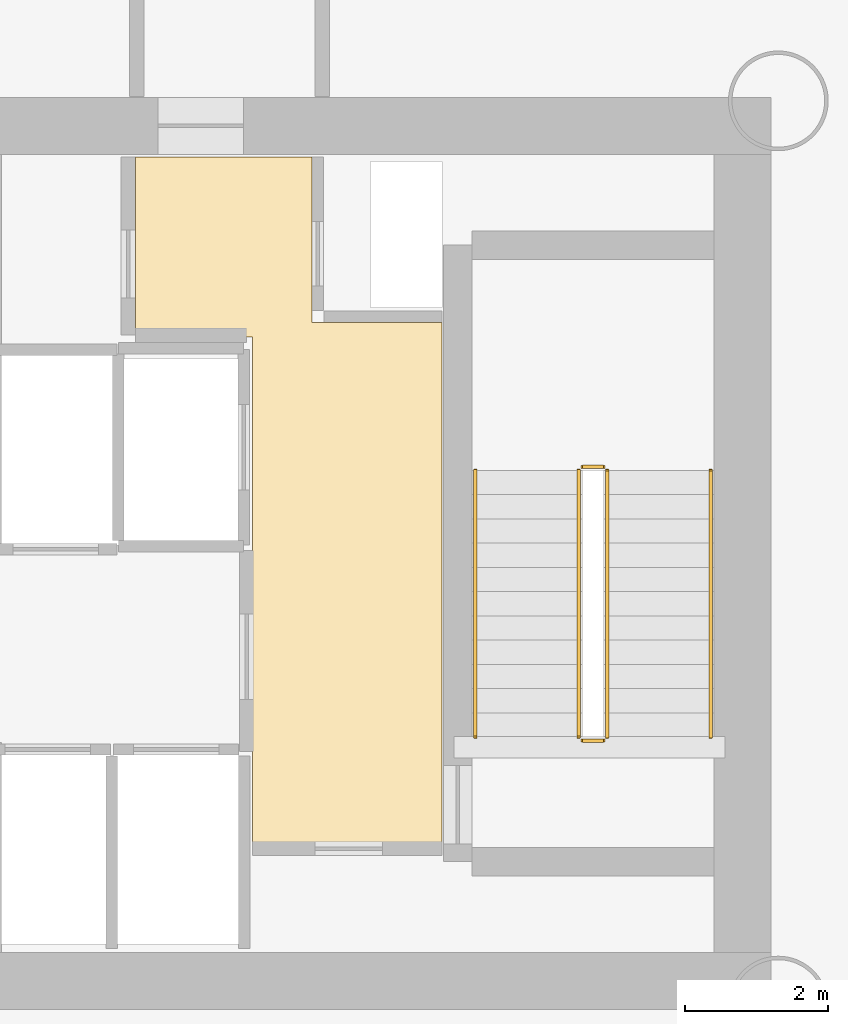
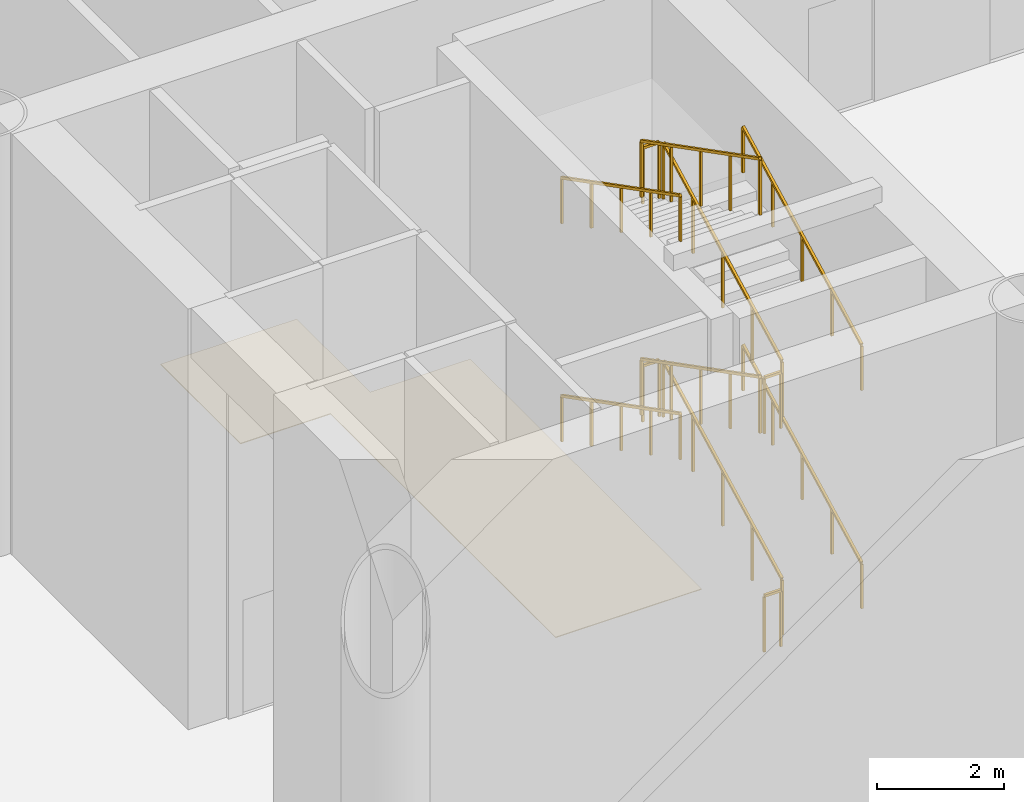
# One storey, part 28 of 28: 12 railings, 1 covering.
"""IFC4 building model written with IfcOpenShell, lengths in metres."""

from ifc_helpers import new_model, si_unit, direction, frame, origin, origin_2d, place, context, subcontext, project, spatial, polyline, rectangle, outline, extrude, material, layer, layer_set, type_object, element, save


model = new_model("IFC4")

# Units and contexts
model_context = context("Model", 3, precision=1e-05, world=origin(), true_north=direction((0.0, 1.0)))
body_context = subcontext(model_context, "Body", "Model", "MODEL_VIEW")
ifc_project = project(units=[si_unit("LENGTHUNIT", "METRE"), si_unit("AREAUNIT", "SQUARE_METRE"), si_unit("VOLUMEUNIT", "CUBIC_METRE"), si_unit("PLANEANGLEUNIT", "RADIAN"), si_unit("MASSUNIT", "GRAM", prefix="KILO")], contexts=[model_context])

# Site, building, storey
site_placement = place(None, origin())
site = spatial("IfcSite", under=ifc_project, at=site_placement, CompositionType="ELEMENT")
building_placement = place(site_placement, origin())
building = spatial("IfcBuilding", under=site, at=building_placement, Name="Tavrogorsk Clinical Tower", CompositionType="ELEMENT")
storey_placement = place(building_placement, origin())
storey = spatial("IfcBuildingStorey", under=building, at=storey_placement, Name="L00", CompositionType="ELEMENT", Elevation=0.0)

# Covering
ifc_material_1 = material(Name="Antibacterial micro-perforated aluminium ceiling", Category="aluminium")
ifc_layer_1 = layer(ifc_material_1, 0.014892578125)
ifc_layer_set_1 = layer_set([ifc_layer_1], Name="Antibacterial micro-perforated aluminium ceiling")
covering_type = type_object("IfcCoveringType", Name="ClinicalCeiling_15", PredefinedType="CEILING", material=ifc_layer_set_1)
covering_placement = place(storey_placement, frame((0.0, 0.0, 2.75)))
element("IfcCovering", 1, at=covering_placement, inside=storey, type_object=covering_type, Name="Core East Firefighting Lift Lobby Acoustic Ceiling", PredefinedType="CEILING", context=body_context, shape_type="SweptSolid", body=[
    extrude(outline(polyline([(14.719970703125, -4.06005859375), (14.719970703125, 3.0400390625), (13.080078125, 3.0400390625), (13.080078125, 5.56005859375), (14.719970703125, 5.56005859375), (15.56005859375, 5.56005859375), (15.56005859375, 3.239990234375), (17.3798828125, 3.239990234375), (17.3798828125, -4.06005859375), (14.719970703125, -4.06005859375)])), origin(), (0.0, 0.0, 1.0), 0.014892578125),
])

# Railings
ifc_material_2 = material(Name="Galvanised steel S355 safety stairwell guard", Category="steel")
ifc_layer_2 = layer(ifc_material_2, 0.06005859375)
ifc_layer_set_2 = layer_set([ifc_layer_2], Name="Galvanised steel S355 safety stairwell guard")
railing_type_1 = type_object("IfcRailingType", Name="StairGuard_1150", PredefinedType="GUARDRAIL", material=ifc_layer_set_2)
railing_1_placement = place(storey_placement, frame((19.699951171875, -2.574951171875, 0.175048828125)))
element("IfcRailing", 2, at=railing_1_placement, inside=storey, type_object=railing_type_1, Name="L00 ST-E stair guard 1", PredefinedType="GUARDRAIL", context=body_context, shape_type="SweptSolid", body=[
    extrude(rectangle(XDim=0.048095703125, YDim=0.048095703125, at=origin_2d()), frame((0.0, 0.0, 1.076171875), z_axis=(0.0, 0.889130600629, 0.457653553493), x_axis=(-1.0, 0.0, 0.0)), (0.0, 0.0, 1.0), 4.206298828125),
    extrude(rectangle(XDim=0.0419921875, YDim=0.0419921875, at=origin_2d()), origin(), (0.0, 0.0, 1.0), 1.052001953125),
    extrude(rectangle(XDim=0.0419921875, YDim=0.0419921875, at=origin_2d()), frame((0.0, 0.93505859375, 0.481201171875)), (0.0, 0.0, 1.0), 1.052001953125),
    extrude(rectangle(XDim=0.0419921875, YDim=0.0419921875, at=origin_2d()), frame((0.0, 1.8701171875, 0.96240234375)), (0.0, 0.0, 1.0), 1.052001953125),
    extrude(rectangle(XDim=0.0419921875, YDim=0.0419921875, at=origin_2d()), frame((0.0, 2.804931640625, 1.44384765625)), (0.0, 0.0, 1.0), 1.052001953125),
    extrude(rectangle(XDim=0.0419921875, YDim=0.0419921875, at=origin_2d()), frame((0.0, 3.739990234375, 1.925048828125)), (0.0, 0.0, 1.0), 1.052001953125),
])
railing_2_placement = place(storey_placement, frame((19.64990234375, 1.215087890625, 2.10009765625)))
element("IfcRailing", 3, at=railing_2_placement, inside=storey, type_object=railing_type_1, Name="L00 ST-E stair guard 2", PredefinedType="GUARDRAIL", context=body_context, shape_type="SweptSolid", body=[
    extrude(rectangle(XDim=0.048095703125, YDim=0.048095703125, at=origin_2d()), frame((0.0, 0.0, 1.076171875), z_axis=(-1.0, 0.0, 0.0), x_axis=(0.0, -1.0, 0.0)), (0.0, 0.0, 1.0), 0.2998046875),
    extrude(rectangle(XDim=0.0419921875, YDim=0.0419921875, at=origin_2d()), origin(), (0.0, 0.0, 1.0), 1.052001953125),
    extrude(rectangle(XDim=0.0419921875, YDim=0.0419921875, at=origin_2d()), frame((-0.2998046875, 0.0, 0.0)), (0.0, 0.0, 1.0), 1.052001953125),
])
railing_3_placement = place(storey_placement, frame((19.300048828125, 1.1650390625, 2.27490234375)))
element("IfcRailing", 4, at=railing_3_placement, inside=storey, type_object=railing_type_1, Name="L00 ST-E stair guard 3", PredefinedType="GUARDRAIL", context=body_context, shape_type="SweptSolid", body=[
    extrude(rectangle(XDim=0.048095703125, YDim=0.048095703125, at=origin_2d()), frame((0.0, 0.0, 1.076171875), z_axis=(0.0, -0.889130600629, 0.457653553493), x_axis=(1.0, 0.0, 0.0)), (0.0, 0.0, 1.0), 4.206298828125),
    extrude(rectangle(XDim=0.0419921875, YDim=0.0419921875, at=origin_2d()), origin(), (0.0, 0.0, 1.0), 1.052001953125),
    extrude(rectangle(XDim=0.0419921875, YDim=0.0419921875, at=origin_2d()), frame((0.0, -0.93505859375, 0.481201171875)), (0.0, 0.0, 1.0), 1.052001953125),
    extrude(rectangle(XDim=0.0419921875, YDim=0.0419921875, at=origin_2d()), frame((0.0, -1.8701171875, 0.96240234375)), (0.0, 0.0, 1.0), 1.052001953125),
    extrude(rectangle(XDim=0.0419921875, YDim=0.0419921875, at=origin_2d()), frame((0.0, -2.804931640625, 1.44384765625)), (0.0, 0.0, 1.0), 1.052001953125),
    extrude(rectangle(XDim=0.0419921875, YDim=0.0419921875, at=origin_2d()), frame((0.0, -3.739990234375, 1.925048828125)), (0.0, 0.0, 1.0), 1.052001953125),
])
railing_4_placement = place(storey_placement, frame((19.64990234375, -2.625, 4.199951171875)))
element("IfcRailing", 5, at=railing_4_placement, inside=storey, type_object=railing_type_1, Name="L00 ST-E stair guard 4", PredefinedType="GUARDRAIL", context=body_context, shape_type="SweptSolid", body=[
    extrude(rectangle(XDim=0.048095703125, YDim=0.048095703125, at=origin_2d()), frame((0.0, 0.0, 1.076171875), z_axis=(-1.0, 0.0, 0.0), x_axis=(0.0, -1.0, 0.0)), (0.0, 0.0, 1.0), 0.2998046875),
    extrude(rectangle(XDim=0.0419921875, YDim=0.0419921875, at=origin_2d()), origin(), (0.0, 0.0, 1.0), 1.052001953125),
    extrude(rectangle(XDim=0.0419921875, YDim=0.0419921875, at=origin_2d()), frame((-0.2998046875, 0.0, 0.0)), (0.0, 0.0, 1.0), 1.052001953125),
])
railing_5_placement = place(storey_placement, frame((19.699951171875, -2.574951171875, 4.375)))
element("IfcRailing", 6, at=railing_5_placement, inside=storey, type_object=railing_type_1, Name="L00 ST-E stair guard 5", PredefinedType="GUARDRAIL", context=body_context, shape_type="SweptSolid", body=[
    extrude(rectangle(XDim=0.048095703125, YDim=0.048095703125, at=origin_2d()), frame((0.0, 0.0, 1.076171875), z_axis=(0.0, 0.889130600629, 0.457653553493), x_axis=(-1.0, 0.0, 0.0)), (0.0, 0.0, 1.0), 4.206298828125),
    extrude(rectangle(XDim=0.0419921875, YDim=0.0419921875, at=origin_2d()), origin(), (0.0, 0.0, 1.0), 1.052001953125),
    extrude(rectangle(XDim=0.0419921875, YDim=0.0419921875, at=origin_2d()), frame((0.0, 0.93505859375, 0.481201171875)), (0.0, 0.0, 1.0), 1.052001953125),
    extrude(rectangle(XDim=0.0419921875, YDim=0.0419921875, at=origin_2d()), frame((0.0, 1.8701171875, 0.96240234375)), (0.0, 0.0, 1.0), 1.052001953125),
    extrude(rectangle(XDim=0.0419921875, YDim=0.0419921875, at=origin_2d()), frame((0.0, 2.804931640625, 1.44384765625)), (0.0, 0.0, 1.0), 1.052001953125),
    extrude(rectangle(XDim=0.0419921875, YDim=0.0419921875, at=origin_2d()), frame((0.0, 3.739990234375, 1.925048828125)), (0.0, 0.0, 1.0), 1.052001953125),
])
railing_6_placement = place(storey_placement, frame((19.64990234375, 1.215087890625, 6.300048828125)))
element("IfcRailing", 7, at=railing_6_placement, inside=storey, type_object=railing_type_1, Name="L00 ST-E stair guard 6", PredefinedType="GUARDRAIL", context=body_context, shape_type="SweptSolid", body=[
    extrude(rectangle(XDim=0.048095703125, YDim=0.048095703125, at=origin_2d()), frame((0.0, 0.0, 1.076171875), z_axis=(-1.0, 0.0, 0.0), x_axis=(0.0, -1.0, 0.0)), (0.0, 0.0, 1.0), 0.2998046875),
    extrude(rectangle(XDim=0.0419921875, YDim=0.0419921875, at=origin_2d()), origin(), (0.0, 0.0, 1.0), 1.052001953125),
    extrude(rectangle(XDim=0.0419921875, YDim=0.0419921875, at=origin_2d()), frame((-0.2998046875, 0.0, 0.0)), (0.0, 0.0, 1.0), 1.052001953125),
])
railing_7_placement = place(storey_placement, frame((19.300048828125, 1.1650390625, 6.47509765625)))
element("IfcRailing", 8, at=railing_7_placement, inside=storey, type_object=railing_type_1, Name="L00 ST-E stair guard 7", PredefinedType="GUARDRAIL", context=body_context, shape_type="SweptSolid", body=[
    extrude(rectangle(XDim=0.048095703125, YDim=0.048095703125, at=origin_2d()), frame((0.0, 0.0, 1.076171875), z_axis=(0.0, -0.889154217769, 0.457607667138), x_axis=(1.0, 0.0, 0.0)), (0.0, 0.0, 1.0), 4.206298828125),
    extrude(rectangle(XDim=0.0419921875, YDim=0.0419921875, at=origin_2d()), origin(), (0.0, 0.0, 1.0), 1.052001953125),
    extrude(rectangle(XDim=0.0419921875, YDim=0.0419921875, at=origin_2d()), frame((0.0, -0.93505859375, 0.481201171875)), (0.0, 0.0, 1.0), 1.052001953125),
    extrude(rectangle(XDim=0.0419921875, YDim=0.0419921875, at=origin_2d()), frame((0.0, -1.8701171875, 0.96240234375)), (0.0, 0.0, 1.0), 1.052001953125),
    extrude(rectangle(XDim=0.0419921875, YDim=0.0419921875, at=origin_2d()), frame((0.0, -2.804931640625, 1.443603515625)), (0.0, 0.0, 1.0), 1.052001953125),
    extrude(rectangle(XDim=0.0419921875, YDim=0.0419921875, at=origin_2d()), frame((0.0, -3.739990234375, 1.9248046875)), (0.0, 0.0, 1.0), 1.052001953125),
])
railing_8_placement = place(storey_placement, frame((19.64990234375, -2.625, 0.0)))
element("IfcRailing", 9, at=railing_8_placement, inside=storey, type_object=railing_type_1, Name="L00 ST-E stair guard 8", PredefinedType="GUARDRAIL", context=body_context, shape_type="SweptSolid", body=[
    extrude(rectangle(XDim=0.048095703125, YDim=0.048095703125, at=origin_2d()), frame((0.0, 0.0, 1.076171875), z_axis=(-1.0, 0.0, 0.0), x_axis=(0.0, -1.0, 0.0)), (0.0, 0.0, 1.0), 0.2998046875),
    extrude(rectangle(XDim=0.0419921875, YDim=0.0419921875, at=origin_2d()), origin(), (0.0, 0.0, 1.0), 1.052001953125),
    extrude(rectangle(XDim=0.0419921875, YDim=0.0419921875, at=origin_2d()), frame((-0.2998046875, 0.0, 0.0)), (0.0, 0.0, 1.0), 1.052001953125),
])
ifc_material_3 = material(Name="Stainless steel AISI 304 tubular handrail", Category="steel")
ifc_layer_3 = layer(ifc_material_3, 0.050048828125)
ifc_layer_set_3 = layer_set([ifc_layer_3], Name="Stainless steel AISI 304 tubular handrail")
railing_type_2 = type_object("IfcRailingType", Name="StairHandrail_920", PredefinedType="HANDRAIL", material=ifc_layer_set_3)
railing_9_placement = place(storey_placement, frame((21.14990234375, -2.574951171875, 0.175048828125)))
element("IfcRailing", 10, at=railing_9_placement, inside=storey, type_object=railing_type_2, Name="L00 ST-E stair handrail 1", PredefinedType="HANDRAIL", context=body_context, shape_type="SweptSolid", body=[
    extrude(rectangle(XDim=0.048095703125, YDim=0.048095703125, at=origin_2d()), frame((0.0, 0.0, 0.8759765625), z_axis=(0.0, 0.889130600629, 0.457653553493), x_axis=(-1.0, 0.0, 0.0)), (0.0, 0.0, 1.0), 4.206298828125),
    extrude(rectangle(XDim=0.0419921875, YDim=0.0419921875, at=origin_2d()), origin(), (0.0, 0.0, 1.0), 0.851806640625),
    extrude(rectangle(XDim=0.0419921875, YDim=0.0419921875, at=origin_2d()), frame((0.0, 0.93505859375, 0.481201171875)), (0.0, 0.0, 1.0), 0.851806640625),
    extrude(rectangle(XDim=0.0419921875, YDim=0.0419921875, at=origin_2d()), frame((0.0, 1.8701171875, 0.96240234375)), (0.0, 0.0, 1.0), 0.851806640625),
    extrude(rectangle(XDim=0.0419921875, YDim=0.0419921875, at=origin_2d()), frame((0.0, 2.804931640625, 1.44384765625)), (0.0, 0.0, 1.0), 0.851806640625),
    extrude(rectangle(XDim=0.0419921875, YDim=0.0419921875, at=origin_2d()), frame((0.0, 3.739990234375, 1.925048828125)), (0.0, 0.0, 1.0), 0.851806640625),
])
railing_10_placement = place(storey_placement, frame((17.85009765625, 1.1650390625, 2.27490234375)))
element("IfcRailing", 11, at=railing_10_placement, inside=storey, type_object=railing_type_2, Name="L00 ST-E stair handrail 2", PredefinedType="HANDRAIL", context=body_context, shape_type="SweptSolid", body=[
    extrude(rectangle(XDim=0.048095703125, YDim=0.048095703125, at=origin_2d()), frame((0.0, 0.0, 0.8759765625), z_axis=(0.0, -0.889130600629, 0.457653553493), x_axis=(1.0, 0.0, 0.0)), (0.0, 0.0, 1.0), 4.206298828125),
    extrude(rectangle(XDim=0.0419921875, YDim=0.0419921875, at=origin_2d()), origin(), (0.0, 0.0, 1.0), 0.851806640625),
    extrude(rectangle(XDim=0.0419921875, YDim=0.0419921875, at=origin_2d()), frame((0.0, -0.93505859375, 0.481201171875)), (0.0, 0.0, 1.0), 0.851806640625),
    extrude(rectangle(XDim=0.0419921875, YDim=0.0419921875, at=origin_2d()), frame((0.0, -1.8701171875, 0.96240234375)), (0.0, 0.0, 1.0), 0.851806640625),
    extrude(rectangle(XDim=0.0419921875, YDim=0.0419921875, at=origin_2d()), frame((0.0, -2.804931640625, 1.44384765625)), (0.0, 0.0, 1.0), 0.851806640625),
    extrude(rectangle(XDim=0.0419921875, YDim=0.0419921875, at=origin_2d()), frame((0.0, -3.739990234375, 1.925048828125)), (0.0, 0.0, 1.0), 0.851806640625),
])
railing_11_placement = place(storey_placement, frame((21.14990234375, -2.574951171875, 4.375)))
element("IfcRailing", 12, at=railing_11_placement, inside=storey, type_object=railing_type_2, Name="L00 ST-E stair handrail 3", PredefinedType="HANDRAIL", context=body_context, shape_type="SweptSolid", body=[
    extrude(rectangle(XDim=0.048095703125, YDim=0.048095703125, at=origin_2d()), frame((0.0, 0.0, 0.8759765625), z_axis=(0.0, 0.889130600629, 0.457653553493), x_axis=(-1.0, 0.0, 0.0)), (0.0, 0.0, 1.0), 4.206298828125),
    extrude(rectangle(XDim=0.0419921875, YDim=0.0419921875, at=origin_2d()), origin(), (0.0, 0.0, 1.0), 0.851806640625),
    extrude(rectangle(XDim=0.0419921875, YDim=0.0419921875, at=origin_2d()), frame((0.0, 0.93505859375, 0.481201171875)), (0.0, 0.0, 1.0), 0.851806640625),
    extrude(rectangle(XDim=0.0419921875, YDim=0.0419921875, at=origin_2d()), frame((0.0, 1.8701171875, 0.96240234375)), (0.0, 0.0, 1.0), 0.851806640625),
    extrude(rectangle(XDim=0.0419921875, YDim=0.0419921875, at=origin_2d()), frame((0.0, 2.804931640625, 1.44384765625)), (0.0, 0.0, 1.0), 0.851806640625),
    extrude(rectangle(XDim=0.0419921875, YDim=0.0419921875, at=origin_2d()), frame((0.0, 3.739990234375, 1.925048828125)), (0.0, 0.0, 1.0), 0.851806640625),
])
railing_12_placement = place(storey_placement, frame((17.85009765625, 1.1650390625, 6.47509765625)))
element("IfcRailing", 13, at=railing_12_placement, inside=storey, type_object=railing_type_2, Name="L00 ST-E stair handrail 4", PredefinedType="HANDRAIL", context=body_context, shape_type="SweptSolid", body=[
    extrude(rectangle(XDim=0.048095703125, YDim=0.048095703125, at=origin_2d()), frame((0.0, 0.0, 0.8759765625), z_axis=(0.0, -0.889154217769, 0.457607667138), x_axis=(1.0, 0.0, 0.0)), (0.0, 0.0, 1.0), 4.206298828125),
    extrude(rectangle(XDim=0.0419921875, YDim=0.0419921875, at=origin_2d()), origin(), (0.0, 0.0, 1.0), 0.851806640625),
    extrude(rectangle(XDim=0.0419921875, YDim=0.0419921875, at=origin_2d()), frame((0.0, -0.93505859375, 0.481201171875)), (0.0, 0.0, 1.0), 0.851806640625),
    extrude(rectangle(XDim=0.0419921875, YDim=0.0419921875, at=origin_2d()), frame((0.0, -1.8701171875, 0.96240234375)), (0.0, 0.0, 1.0), 0.851806640625),
    extrude(rectangle(XDim=0.0419921875, YDim=0.0419921875, at=origin_2d()), frame((0.0, -2.804931640625, 1.443603515625)), (0.0, 0.0, 1.0), 0.851806640625),
    extrude(rectangle(XDim=0.0419921875, YDim=0.0419921875, at=origin_2d()), frame((0.0, -3.739990234375, 1.9248046875)), (0.0, 0.0, 1.0), 0.851806640625),
])

save(model, "model.ifc")
